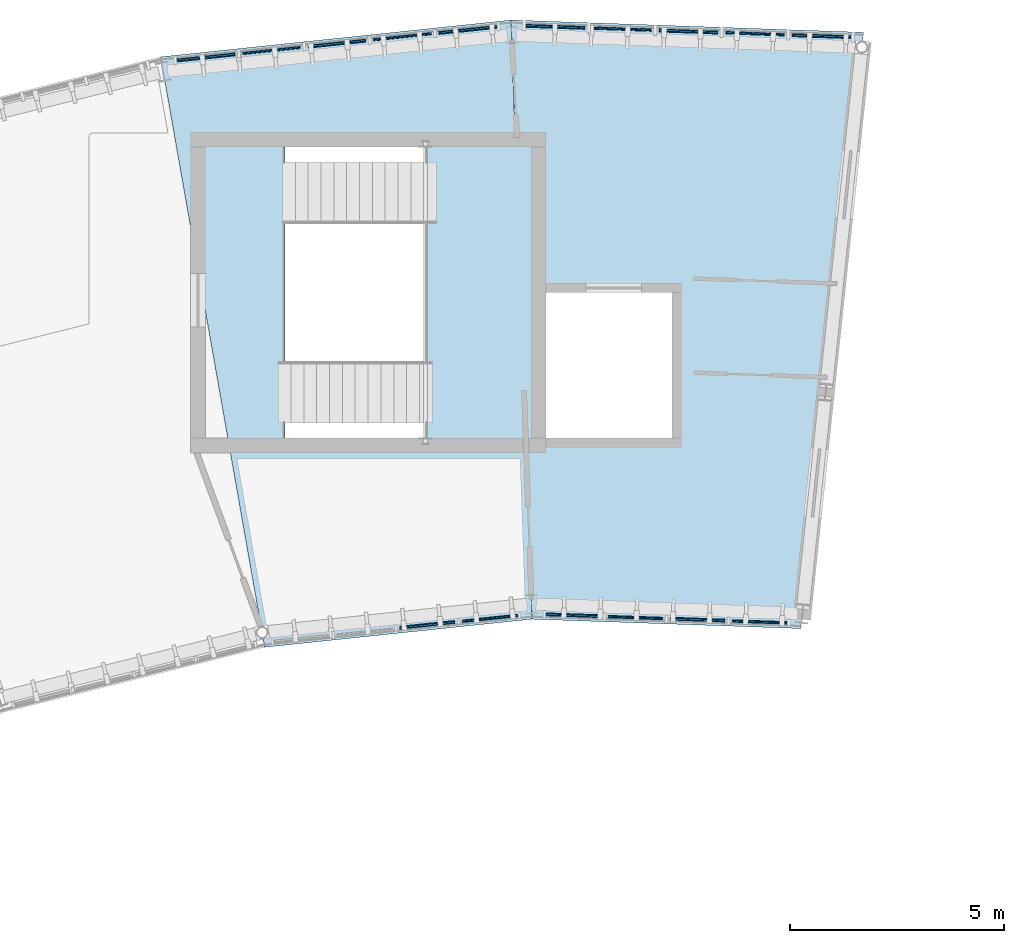
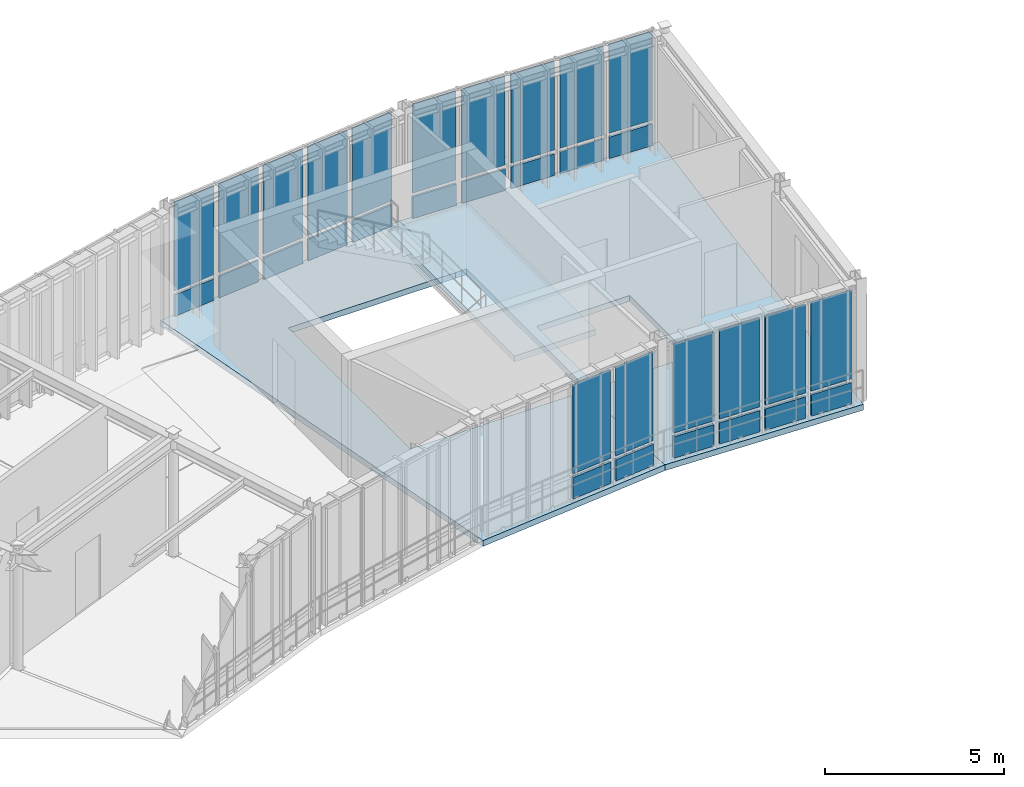
# One storey, part 29 of 52: 32 plates, 3 slabs, 5 elements without a shape of their own.
"""IFC4 building model written with IfcOpenShell, lengths in metres."""

from ifc_helpers import new_model, si_unit, direction, frame, origin, origin_2d, place, context, subcontext, project, spatial, polyline, rectangle, outline, extrude, material, layer, layer_set, type_object, element, aggregate, save


model = new_model("IFC4")

# Units and contexts
model_context = context("Model", 3, precision=1e-05, world=origin(), true_north=direction((0.0, 1.0)))
body_context = subcontext(model_context, "Body", "Model", "MODEL_VIEW")
ifc_project = project(units=[si_unit("LENGTHUNIT", "METRE"), si_unit("AREAUNIT", "SQUARE_METRE"), si_unit("VOLUMEUNIT", "CUBIC_METRE"), si_unit("PLANEANGLEUNIT", "RADIAN"), si_unit("MASSUNIT", "GRAM", prefix="KILO"), si_unit("THERMODYNAMICTEMPERATUREUNIT", "KELVIN"), si_unit("POWERUNIT", "WATT")], contexts=[model_context])

# Site, building, storey
site_placement = place(None, origin())
site = spatial("IfcSite", under=ifc_project, at=site_placement, CompositionType="ELEMENT")
building_placement = place(site_placement, origin())
building = spatial("IfcBuilding", under=site, at=building_placement, Name="Solvatero Civic Police Headquarters", CompositionType="ELEMENT")
storey_placement = place(building_placement, frame((0.0, 0.0, 13.5)))
storey = spatial("IfcBuildingStorey", under=building, at=storey_placement, Name="L03", CompositionType="ELEMENT", Elevation=13.5)

# Curtain wall, plates
ifc_material_1 = material(Name="Anodized Bronze Aluminium", Category="aluminium")
ifc_layer_1 = layer(ifc_material_1, 0.179931640625)
ifc_layer_set_1 = layer_set([ifc_layer_1], Name="Anodized Bronze Aluminium")
curtain_wall_type_1 = type_object("IfcCurtainWallType", Name="CW-ARC-OUT", PredefinedType="USERDEFINED", material=ifc_layer_set_1)
curtain_wall_1_placement = place(storey_placement, origin())
curtain_wall_1 = element("IfcCurtainWall", 1, at=curtain_wall_1_placement, inside=storey, type_object=curtain_wall_type_1, Name="Curtain Wall CW-R2-L03-ARC-OUT-B01", ObjectType="UNITISED", PredefinedType="USERDEFINED")
ifc_material_2 = material(Name="Triple Low-E Laminated Glass", Category="glass")
ifc_layer_2 = layer(ifc_material_2, 0.0380859375)
ifc_layer_set_2 = layer_set([ifc_layer_2], Name="Triple Low-E Laminated Glass")
plate_type_1 = type_object("IfcPlateType", Name="CWP-GLZ-38", PredefinedType="CURTAIN_PANEL", material=ifc_layer_set_2)
plate_1_placement = place(storey_placement, frame((97.6337890625, 84.6455078125, 0.91015625), z_axis=(0.0, 0.0, 1.0), x_axis=(-0.999390217756, 0.034916939358, 0.0)))
plate_1 = element("IfcPlate", 2, at=plate_1_placement, type_object=plate_type_1, Name="CW-R2-L03-ARC-OUT-B01 Vision Glazing 2", PredefinedType="CURTAIN_PANEL", context=body_context, shape_type="SweptSolid", body=[
    extrude(rectangle(XDim=1.373291015625, YDim=0.0380859375, at=origin_2d()), origin(), (0.0, 0.0, 1.0), 3.030029296875),
])
plate_2_placement = place(storey_placement, frame((94.529296875, 84.75390625, 0.91015625), z_axis=(0.0, 0.0, 1.0), x_axis=(-0.999390217756, 0.034916939358, 0.0)))
plate_2 = element("IfcPlate", 3, at=plate_2_placement, type_object=plate_type_1, Name="CW-R2-L03-ARC-OUT-B01 Vision Glazing 4", PredefinedType="CURTAIN_PANEL", context=body_context, shape_type="SweptSolid", body=[
    extrude(rectangle(XDim=1.373291015625, YDim=0.0380859375, at=origin_2d()), origin(), (0.0, 0.0, 1.0), 3.030029296875),
])

ifc_layer_3 = layer(ifc_material_1, 0.179931640625)
ifc_layer_set_3 = layer_set([ifc_layer_3], Name="Anodized Bronze Aluminium")
curtain_wall_type_2 = type_object("IfcCurtainWallType", Name="CW-ARC-IN", PredefinedType="USERDEFINED", material=ifc_layer_set_3)
curtain_wall_2_placement = place(storey_placement, origin())
curtain_wall_2 = element("IfcCurtainWall", 4, at=curtain_wall_2_placement, inside=storey, type_object=curtain_wall_type_2, Name="Curtain Wall CW-R2-L03-ARC-IN-B01", ObjectType="UNITISED", PredefinedType="USERDEFINED")
plate_3_placement = place(storey_placement, frame((97.743408203125, 70.90673828125, 0.91015625), z_axis=(0.0, 0.0, 1.0), x_axis=(-0.999390827019, 0.034899496703, 0.0)))
plate_3 = element("IfcPlate", 5, at=plate_3_placement, type_object=plate_type_1, Name="CW-R2-L03-ARC-IN-B01 Vision Glazing 1", PredefinedType="CURTAIN_PANEL", context=body_context, shape_type="SweptSolid", body=[
    extrude(rectangle(XDim=1.269287109375, YDim=0.0380859375, at=origin_2d()), origin(), (0.0, 0.0, 1.0), 3.030029296875),
])
plate_4_placement = place(storey_placement, frame((94.8466796875, 71.008056640625, 0.91015625), z_axis=(0.0, 0.0, 1.0), x_axis=(-0.999390827019, 0.034899496703, 0.0)))
plate_4 = element("IfcPlate", 6, at=plate_4_placement, type_object=plate_type_1, Name="CW-R2-L03-ARC-IN-B01 Vision Glazing 3", PredefinedType="CURTAIN_PANEL", context=body_context, shape_type="SweptSolid", body=[
    extrude(rectangle(XDim=1.269287109375, YDim=0.0380859375, at=origin_2d()), origin(), (0.0, 0.0, 1.0), 3.030029296875),
])

curtain_wall_3_placement = place(storey_placement, origin())
curtain_wall_3 = element("IfcCurtainWall", 7, at=curtain_wall_3_placement, inside=storey, type_object=curtain_wall_type_1, Name="Curtain Wall CW-R2-L03-ARC-OUT-B02", ObjectType="UNITISED", PredefinedType="USERDEFINED")
plate_5_placement = place(storey_placement, frame((89.39990234375, 84.57666015625, 0.91015625), z_axis=(0.0, 0.0, 1.0), x_axis=(-0.994523719583, -0.10451110557, 0.0)))
plate_5 = element("IfcPlate", 8, at=plate_5_placement, type_object=plate_type_1, Name="CW-R2-L03-ARC-OUT-B02 Vision Glazing 2", PredefinedType="CURTAIN_PANEL", context=body_context, shape_type="SweptSolid", body=[
    extrude(rectangle(XDim=1.35546875, YDim=0.0380859375, at=origin_2d()), origin(), (0.0, 0.0, 1.0), 3.030029296875),
])
plate_6_placement = place(storey_placement, frame((86.345703125, 84.255615234375, 0.91015625), z_axis=(0.0, 0.0, 1.0), x_axis=(-0.994523719583, -0.10451110557, 0.0)))
plate_6 = element("IfcPlate", 9, at=plate_6_placement, type_object=plate_type_1, Name="CW-R2-L03-ARC-OUT-B02 Vision Glazing 4", PredefinedType="CURTAIN_PANEL", context=body_context, shape_type="SweptSolid", body=[
    extrude(rectangle(XDim=1.35546875, YDim=0.0380859375, at=origin_2d()), origin(), (0.0, 0.0, 1.0), 3.030029296875),
])

# Curtain wall, plate
curtain_wall_4_placement = place(storey_placement, origin())
curtain_wall_4 = element("IfcCurtainWall", 10, at=curtain_wall_4_placement, inside=storey, type_object=curtain_wall_type_2, Name="Curtain Wall CW-R2-L03-ARC-IN-B02", ObjectType="UNITISED", PredefinedType="USERDEFINED")
plate_7_placement = place(storey_placement, frame((91.4462890625, 70.989501953125, 0.91015625), z_axis=(0.0, 0.0, 1.0), x_axis=(-0.994521895368, -0.104528463268, 0.0)))
plate_7 = element("IfcPlate", 11, at=plate_7_placement, type_object=plate_type_1, Name="CW-R2-L03-ARC-IN-B02 Vision Glazing 1", PredefinedType="CURTAIN_PANEL", context=body_context, shape_type="SweptSolid", body=[
    extrude(rectangle(XDim=1.29150390625, YDim=0.0380859375, at=origin_2d()), origin(), (0.0, 0.0, 1.0), 3.030029296875),
])

# Plate
ifc_material_3 = material(Name="Acoustic Ballistic Laminated Glass", Category="glass")
ifc_layer_4 = layer(ifc_material_3, 0.0439453125)
ifc_layer_set_4 = layer_set([ifc_layer_4], Name="Acoustic Ballistic Laminated Glass")
plate_type_2 = type_object("IfcPlateType", Name="CWP-GLZ-44", PredefinedType="CURTAIN_PANEL", material=ifc_layer_set_4)
plate_8_placement = place(storey_placement, frame((99.18603515625, 84.59130859375, 0.91015625), z_axis=(0.0, 0.0, 1.0), x_axis=(-0.999390217756, 0.034916939358, 0.0)))
plate_8 = element("IfcPlate", 12, at=plate_8_placement, type_object=plate_type_2, Name="CW-R2-L03-ARC-OUT-B01 Vision Glazing 1", PredefinedType="CURTAIN_PANEL", context=body_context, shape_type="SweptSolid", body=[
    extrude(rectangle(XDim=1.373291015625, YDim=0.0439453125, at=origin_2d()), origin(), (0.0, 0.0, 1.0), 3.030029296875),
])

plate_9_placement = place(storey_placement, frame((96.08154296875, 84.69970703125, 0.91015625), z_axis=(0.0, 0.0, 1.0), x_axis=(-0.999390217756, 0.034916939358, 0.0)))
plate_9 = element("IfcPlate", 13, at=plate_9_placement, type_object=plate_type_2, Name="CW-R2-L03-ARC-OUT-B01 Vision Glazing 3", PredefinedType="CURTAIN_PANEL", context=body_context, shape_type="SweptSolid", body=[
    extrude(rectangle(XDim=1.373291015625, YDim=0.0439453125, at=origin_2d()), origin(), (0.0, 0.0, 1.0), 3.030029296875),
])

plate_10_placement = place(storey_placement, frame((92.97705078125, 84.80810546875, 0.91015625), z_axis=(0.0, 0.0, 1.0), x_axis=(-0.999390217756, 0.034916939358, 0.0)))
plate_10 = element("IfcPlate", 14, at=plate_10_placement, type_object=plate_type_2, Name="CW-R2-L03-ARC-OUT-B01 Vision Glazing 5", PredefinedType="CURTAIN_PANEL", context=body_context, shape_type="SweptSolid", body=[
    extrude(rectangle(XDim=1.373291015625, YDim=0.0439453125, at=origin_2d()), origin(), (0.0, 0.0, 1.0), 3.030029296875),
])

plate_11_placement = place(storey_placement, frame((96.294921875, 70.95751953125, 0.91015625), z_axis=(0.0, 0.0, 1.0), x_axis=(-0.999390827019, 0.034899496703, 0.0)))
plate_11 = element("IfcPlate", 15, at=plate_11_placement, type_object=plate_type_2, Name="CW-R2-L03-ARC-IN-B01 Vision Glazing 2", PredefinedType="CURTAIN_PANEL", context=body_context, shape_type="SweptSolid", body=[
    extrude(rectangle(XDim=1.269287109375, YDim=0.0439453125, at=origin_2d()), origin(), (0.0, 0.0, 1.0), 3.030029296875),
])

plate_12_placement = place(storey_placement, frame((93.398193359375, 71.05859375, 0.91015625), z_axis=(0.0, 0.0, 1.0), x_axis=(-0.999390827019, 0.034899496703, 0.0)))
plate_12 = element("IfcPlate", 16, at=plate_12_placement, type_object=plate_type_2, Name="CW-R2-L03-ARC-IN-B01 Vision Glazing 4", PredefinedType="CURTAIN_PANEL", context=body_context, shape_type="SweptSolid", body=[
    extrude(rectangle(XDim=1.269287109375, YDim=0.0439453125, at=origin_2d()), origin(), (0.0, 0.0, 1.0), 3.030029296875),
])

plate_13_placement = place(storey_placement, frame((90.927001953125, 84.737060546875, 0.91015625), z_axis=(0.0, 0.0, 1.0), x_axis=(-0.994523719583, -0.10451110557, 0.0)))
plate_13 = element("IfcPlate", 17, at=plate_13_placement, type_object=plate_type_2, Name="CW-R2-L03-ARC-OUT-B02 Vision Glazing 1", PredefinedType="CURTAIN_PANEL", context=body_context, shape_type="SweptSolid", body=[
    extrude(rectangle(XDim=1.35546875, YDim=0.0439453125, at=origin_2d()), origin(), (0.0, 0.0, 1.0), 3.030029296875),
])

plate_14_placement = place(storey_placement, frame((87.872802734375, 84.416015625, 0.91015625), z_axis=(0.0, 0.0, 1.0), x_axis=(-0.994523719583, -0.10451110557, 0.0)))
plate_14 = element("IfcPlate", 18, at=plate_14_placement, type_object=plate_type_2, Name="CW-R2-L03-ARC-OUT-B02 Vision Glazing 3", PredefinedType="CURTAIN_PANEL", context=body_context, shape_type="SweptSolid", body=[
    extrude(rectangle(XDim=1.35546875, YDim=0.0439453125, at=origin_2d()), origin(), (0.0, 0.0, 1.0), 3.030029296875),
])

plate_15_placement = place(storey_placement, frame((84.818603515625, 84.09521484375, 0.91015625), z_axis=(0.0, 0.0, 1.0), x_axis=(-0.994523719583, -0.10451110557, 0.0)))
plate_15 = element("IfcPlate", 19, at=plate_15_placement, type_object=plate_type_2, Name="CW-R2-L03-ARC-OUT-B02 Vision Glazing 5", PredefinedType="CURTAIN_PANEL", context=body_context, shape_type="SweptSolid", body=[
    extrude(rectangle(XDim=1.35546875, YDim=0.0439453125, at=origin_2d()), origin(), (0.0, 0.0, 1.0), 3.030029296875),
])

plate_16_placement = place(storey_placement, frame((89.98291015625, 70.835693359375, 0.91015625), z_axis=(0.0, 0.0, 1.0), x_axis=(-0.994521895368, -0.104528463268, 0.0)))
plate_16 = element("IfcPlate", 20, at=plate_16_placement, type_object=plate_type_2, Name="CW-R2-L03-ARC-IN-B02 Vision Glazing 2", PredefinedType="CURTAIN_PANEL", context=body_context, shape_type="SweptSolid", body=[
    extrude(rectangle(XDim=1.29150390625, YDim=0.0439453125, at=origin_2d()), origin(), (0.0, 0.0, 1.0), 3.030029296875),
])

ifc_material_4 = material(Name="Insulated Bronze Aluminium Spandrel", Category="aluminium")
ifc_layer_5 = layer(ifc_material_4, 0.06005859375)
ifc_layer_set_5 = layer_set([ifc_layer_5], Name="Insulated Bronze Aluminium Spandrel")
plate_type_3 = type_object("IfcPlateType", Name="CWP-SPN-60", PredefinedType="CURTAIN_PANEL", material=ifc_layer_set_5)
plate_17_placement = place(storey_placement, frame((97.6337890625, 84.6455078125, 0.06005859375), z_axis=(0.0, 0.0, 1.0), x_axis=(-0.999390217756, 0.034916939358, 0.0)))
plate_17 = element("IfcPlate", 21, at=plate_17_placement, type_object=plate_type_3, Name="CW-R2-L03-ARC-OUT-B01 Spandrel Panel 2", PredefinedType="CURTAIN_PANEL", context=body_context, shape_type="SweptSolid", body=[
    extrude(rectangle(XDim=1.373291015625, YDim=0.06005859375, at=origin_2d()), origin(), (0.0, 0.0, 1.0), 0.72998046875),
])

plate_18_placement = place(storey_placement, frame((94.529296875, 84.75390625, 0.06005859375), z_axis=(0.0, 0.0, 1.0), x_axis=(-0.999390217756, 0.034916939358, 0.0)))
plate_18 = element("IfcPlate", 22, at=plate_18_placement, type_object=plate_type_3, Name="CW-R2-L03-ARC-OUT-B01 Spandrel Panel 4", PredefinedType="CURTAIN_PANEL", context=body_context, shape_type="SweptSolid", body=[
    extrude(rectangle(XDim=1.373291015625, YDim=0.06005859375, at=origin_2d()), origin(), (0.0, 0.0, 1.0), 0.72998046875),
])

plate_19_placement = place(storey_placement, frame((97.743408203125, 70.90673828125, 0.06005859375), z_axis=(0.0, 0.0, 1.0), x_axis=(-0.999390827019, 0.034899496703, 0.0)))
plate_19 = element("IfcPlate", 23, at=plate_19_placement, type_object=plate_type_3, Name="CW-R2-L03-ARC-IN-B01 Spandrel Panel 1", PredefinedType="CURTAIN_PANEL", context=body_context, shape_type="SweptSolid", body=[
    extrude(rectangle(XDim=1.269287109375, YDim=0.06005859375, at=origin_2d()), origin(), (0.0, 0.0, 1.0), 0.72998046875),
])

plate_20_placement = place(storey_placement, frame((94.8466796875, 71.008056640625, 0.06005859375), z_axis=(0.0, 0.0, 1.0), x_axis=(-0.999390827019, 0.034899496703, 0.0)))
plate_20 = element("IfcPlate", 24, at=plate_20_placement, type_object=plate_type_3, Name="CW-R2-L03-ARC-IN-B01 Spandrel Panel 3", PredefinedType="CURTAIN_PANEL", context=body_context, shape_type="SweptSolid", body=[
    extrude(rectangle(XDim=1.269287109375, YDim=0.06005859375, at=origin_2d()), origin(), (0.0, 0.0, 1.0), 0.72998046875),
])

plate_21_placement = place(storey_placement, frame((89.39990234375, 84.57666015625, 0.06005859375), z_axis=(0.0, 0.0, 1.0), x_axis=(-0.994523719583, -0.10451110557, 0.0)))
plate_21 = element("IfcPlate", 25, at=plate_21_placement, type_object=plate_type_3, Name="CW-R2-L03-ARC-OUT-B02 Spandrel Panel 2", PredefinedType="CURTAIN_PANEL", context=body_context, shape_type="SweptSolid", body=[
    extrude(rectangle(XDim=1.35546875, YDim=0.06005859375, at=origin_2d()), origin(), (0.0, 0.0, 1.0), 0.72998046875),
])

plate_22_placement = place(storey_placement, frame((86.345703125, 84.255615234375, 0.06005859375), z_axis=(0.0, 0.0, 1.0), x_axis=(-0.994523719583, -0.10451110557, 0.0)))
plate_22 = element("IfcPlate", 26, at=plate_22_placement, type_object=plate_type_3, Name="CW-R2-L03-ARC-OUT-B02 Spandrel Panel 4", PredefinedType="CURTAIN_PANEL", context=body_context, shape_type="SweptSolid", body=[
    extrude(rectangle(XDim=1.35546875, YDim=0.06005859375, at=origin_2d()), origin(), (0.0, 0.0, 1.0), 0.72998046875),
])

plate_23_placement = place(storey_placement, frame((91.4462890625, 70.989501953125, 0.06005859375), z_axis=(0.0, 0.0, 1.0), x_axis=(-0.994521895368, -0.104528463268, 0.0)))
plate_23 = element("IfcPlate", 27, at=plate_23_placement, type_object=plate_type_3, Name="CW-R2-L03-ARC-IN-B02 Spandrel Panel 1", PredefinedType="CURTAIN_PANEL", context=body_context, shape_type="SweptSolid", body=[
    extrude(rectangle(XDim=1.29150390625, YDim=0.06005859375, at=origin_2d()), origin(), (0.0, 0.0, 1.0), 0.72998046875),
])

ifc_material_5 = material(Name="Limestone Veneer Spandrel Panel", Category="masonry")
ifc_layer_6 = layer(ifc_material_5, 0.074951171875)
ifc_layer_set_6 = layer_set([ifc_layer_6], Name="Limestone Veneer Spandrel Panel")
plate_type_4 = type_object("IfcPlateType", Name="CWP-SPN-75", PredefinedType="CURTAIN_PANEL", material=ifc_layer_set_6)
plate_24_placement = place(storey_placement, frame((99.18603515625, 84.59130859375, 0.06005859375), z_axis=(0.0, 0.0, 1.0), x_axis=(-0.999390217756, 0.034916939358, 0.0)))
plate_24 = element("IfcPlate", 28, at=plate_24_placement, type_object=plate_type_4, Name="CW-R2-L03-ARC-OUT-B01 Spandrel Panel 1", PredefinedType="CURTAIN_PANEL", context=body_context, shape_type="SweptSolid", body=[
    extrude(rectangle(XDim=1.373291015625, YDim=0.074951171875, at=origin_2d()), origin(), (0.0, 0.0, 1.0), 0.72998046875),
])

plate_25_placement = place(storey_placement, frame((96.08154296875, 84.69970703125, 0.06005859375), z_axis=(0.0, 0.0, 1.0), x_axis=(-0.999390217756, 0.034916939358, 0.0)))
plate_25 = element("IfcPlate", 29, at=plate_25_placement, type_object=plate_type_4, Name="CW-R2-L03-ARC-OUT-B01 Spandrel Panel 3", PredefinedType="CURTAIN_PANEL", context=body_context, shape_type="SweptSolid", body=[
    extrude(rectangle(XDim=1.373291015625, YDim=0.074951171875, at=origin_2d()), origin(), (0.0, 0.0, 1.0), 0.72998046875),
])

plate_26_placement = place(storey_placement, frame((92.97705078125, 84.80810546875, 0.06005859375), z_axis=(0.0, 0.0, 1.0), x_axis=(-0.999390217756, 0.034916939358, 0.0)))
plate_26 = element("IfcPlate", 30, at=plate_26_placement, type_object=plate_type_4, Name="CW-R2-L03-ARC-OUT-B01 Spandrel Panel 5", PredefinedType="CURTAIN_PANEL", context=body_context, shape_type="SweptSolid", body=[
    extrude(rectangle(XDim=1.373291015625, YDim=0.074951171875, at=origin_2d()), origin(), (0.0, 0.0, 1.0), 0.72998046875),
])

aggregate(curtain_wall_1, [plate_24, plate_8, plate_17, plate_1, plate_25, plate_9, plate_18, plate_2, plate_26, plate_10])

plate_27_placement = place(storey_placement, frame((96.294921875, 70.95751953125, 0.06005859375), z_axis=(0.0, 0.0, 1.0), x_axis=(-0.999390827019, 0.034899496703, 0.0)))
plate_27 = element("IfcPlate", 31, at=plate_27_placement, type_object=plate_type_4, Name="CW-R2-L03-ARC-IN-B01 Spandrel Panel 2", PredefinedType="CURTAIN_PANEL", context=body_context, shape_type="SweptSolid", body=[
    extrude(rectangle(XDim=1.269287109375, YDim=0.074951171875, at=origin_2d()), origin(), (0.0, 0.0, 1.0), 0.72998046875),
])

plate_28_placement = place(storey_placement, frame((93.398193359375, 71.05859375, 0.06005859375), z_axis=(0.0, 0.0, 1.0), x_axis=(-0.999390827019, 0.034899496703, 0.0)))
plate_28 = element("IfcPlate", 32, at=plate_28_placement, type_object=plate_type_4, Name="CW-R2-L03-ARC-IN-B01 Spandrel Panel 4", PredefinedType="CURTAIN_PANEL", context=body_context, shape_type="SweptSolid", body=[
    extrude(rectangle(XDim=1.269287109375, YDim=0.074951171875, at=origin_2d()), origin(), (0.0, 0.0, 1.0), 0.72998046875),
])

aggregate(curtain_wall_2, [plate_19, plate_3, plate_27, plate_11, plate_20, plate_4, plate_28, plate_12])

plate_29_placement = place(storey_placement, frame((90.927001953125, 84.737060546875, 0.06005859375), z_axis=(0.0, 0.0, 1.0), x_axis=(-0.994523719583, -0.10451110557, 0.0)))
plate_29 = element("IfcPlate", 33, at=plate_29_placement, type_object=plate_type_4, Name="CW-R2-L03-ARC-OUT-B02 Spandrel Panel 1", PredefinedType="CURTAIN_PANEL", context=body_context, shape_type="SweptSolid", body=[
    extrude(rectangle(XDim=1.35546875, YDim=0.074951171875, at=origin_2d()), origin(), (0.0, 0.0, 1.0), 0.72998046875),
])

plate_30_placement = place(storey_placement, frame((87.872802734375, 84.416015625, 0.06005859375), z_axis=(0.0, 0.0, 1.0), x_axis=(-0.994523719583, -0.10451110557, 0.0)))
plate_30 = element("IfcPlate", 34, at=plate_30_placement, type_object=plate_type_4, Name="CW-R2-L03-ARC-OUT-B02 Spandrel Panel 3", PredefinedType="CURTAIN_PANEL", context=body_context, shape_type="SweptSolid", body=[
    extrude(rectangle(XDim=1.35546875, YDim=0.074951171875, at=origin_2d()), origin(), (0.0, 0.0, 1.0), 0.72998046875),
])

plate_31_placement = place(storey_placement, frame((84.818603515625, 84.09521484375, 0.06005859375), z_axis=(0.0, 0.0, 1.0), x_axis=(-0.994523719583, -0.10451110557, 0.0)))
plate_31 = element("IfcPlate", 35, at=plate_31_placement, type_object=plate_type_4, Name="CW-R2-L03-ARC-OUT-B02 Spandrel Panel 5", PredefinedType="CURTAIN_PANEL", context=body_context, shape_type="SweptSolid", body=[
    extrude(rectangle(XDim=1.35546875, YDim=0.074951171875, at=origin_2d()), origin(), (0.0, 0.0, 1.0), 0.72998046875),
])

aggregate(curtain_wall_3, [plate_29, plate_13, plate_21, plate_5, plate_30, plate_14, plate_22, plate_6, plate_31, plate_15])

plate_32_placement = place(storey_placement, frame((89.98291015625, 70.835693359375, 0.06005859375), z_axis=(0.0, 0.0, 1.0), x_axis=(-0.994521895368, -0.104528463268, 0.0)))
plate_32 = element("IfcPlate", 36, at=plate_32_placement, type_object=plate_type_4, Name="CW-R2-L03-ARC-IN-B02 Spandrel Panel 2", PredefinedType="CURTAIN_PANEL", context=body_context, shape_type="SweptSolid", body=[
    extrude(rectangle(XDim=1.29150390625, YDim=0.074951171875, at=origin_2d()), origin(), (0.0, 0.0, 1.0), 0.72998046875),
])

aggregate(curtain_wall_4, [plate_23, plate_7, plate_32, plate_16])

# Slabs
ifc_material_6 = material(Name="Concrete C35/45", Category="concrete")
ifc_layer_7 = layer(ifc_material_6, 0.199951171875)
ifc_layer_set_7 = layer_set([ifc_layer_7], Name="Concrete C35/45")
slab_type_1 = type_object("IfcSlabType", Name="SLB-COMP-200", PredefinedType="FLOOR", material=ifc_layer_set_7)
slab_1_placement = place(storey_placement, frame((0.0, 0.0, -0.199951171875)))
element("IfcSlab", 37, at=slab_1_placement, inside=storey, type_object=slab_type_1, Name="L03 Operations Arc Floor Slab Bay 1", PredefinedType="FLOOR", context=body_context, shape_type="SweptSolid", body=[
    extrude(outline(polyline([(98.703857421875, 70.75341796875), (92.429443359375, 70.97265625), (92.281982421875, 75.199951171875), (92.39990234375, 75.199951171875), (92.39990234375, 82.0), (92.04443359375, 82.0), (91.94091796875, 84.964111328125), (100.167236328125, 84.6767578125), (98.703857421875, 70.75341796875)]), holes=[polyline([(92.699951171875, 75.199951171875), (95.699951171875, 75.199951171875), (95.699951171875, 78.60009765625), (92.699951171875, 78.60009765625), (92.699951171875, 75.199951171875)])]), origin(), (0.0, 0.0, 1.0), 0.199951171875),
])
slab_2_placement = place(storey_placement, frame((0.0, 0.0, -0.199951171875)))
element("IfcSlab", 38, at=slab_2_placement, inside=storey, type_object=slab_type_1, Name="L03 Operations Arc Floor Slab Bay 2", PredefinedType="FLOOR", context=body_context, shape_type="SweptSolid", body=[
    extrude(outline(polyline([(83.7548828125, 84.103759765625), (91.93896484375, 84.9638671875), (92.04248046875, 82.0), (86.659912109375, 82.0), (86.659912109375, 75.199951171875), (92.27978515625, 75.199951171875), (92.427490234375, 70.972412109375), (86.185791015625, 70.31640625), (83.7548828125, 84.103759765625)])), origin(), (0.0, 0.0, 1.0), 0.199951171875),
])

# Stair, slab
ifc_material_7 = material(Name="Precast concrete C40/50", Category="concrete")
stair_type = type_object("IfcStairType", Name="STR-C145-420", PredefinedType="HALF_TURN_STAIR", material=ifc_material_7)
stair_placement = place(storey_placement, origin())
stair = element("IfcStair", 39, at=stair_placement, inside=storey, type_object=stair_type, Name="Protected Exit Stair ST-C3 (L03 to L04)", PredefinedType="HALF_TURN_STAIR")
ifc_layer_8 = layer(ifc_material_7, 0.199951171875)
ifc_layer_set_8 = layer_set([ifc_layer_8], Name="Precast concrete C40/50")
slab_type_2 = type_object("IfcSlabType", Name="SLB-LND-200", PredefinedType="LANDING", material=ifc_layer_set_8)
slab_3_placement = place(storey_placement, frame((0.0, 0.0, 1.89990234375)))
slab_3 = element("IfcSlab", 40, at=slab_3_placement, type_object=slab_type_2, Name="ST-C3 L03 Half-Landing", PredefinedType="LANDING", context=body_context, shape_type="SweptSolid", body=[
    extrude(outline(polyline([(89.93994140625, 75.050048828125), (92.550048828125, 75.050048828125), (92.550048828125, 82.14990234375), (89.93994140625, 82.14990234375), (89.93994140625, 75.050048828125)])), origin(), (0.0, 0.0, 1.0), 0.2001953125),
])
aggregate(stair, [slab_3])

save(model, "model.ifc")
